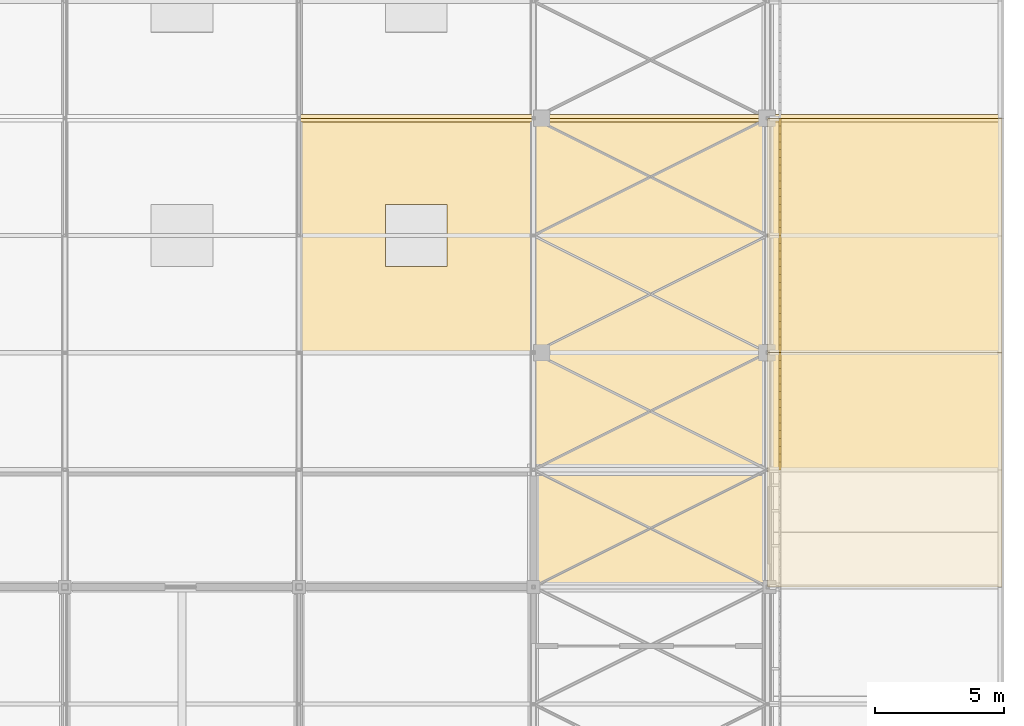
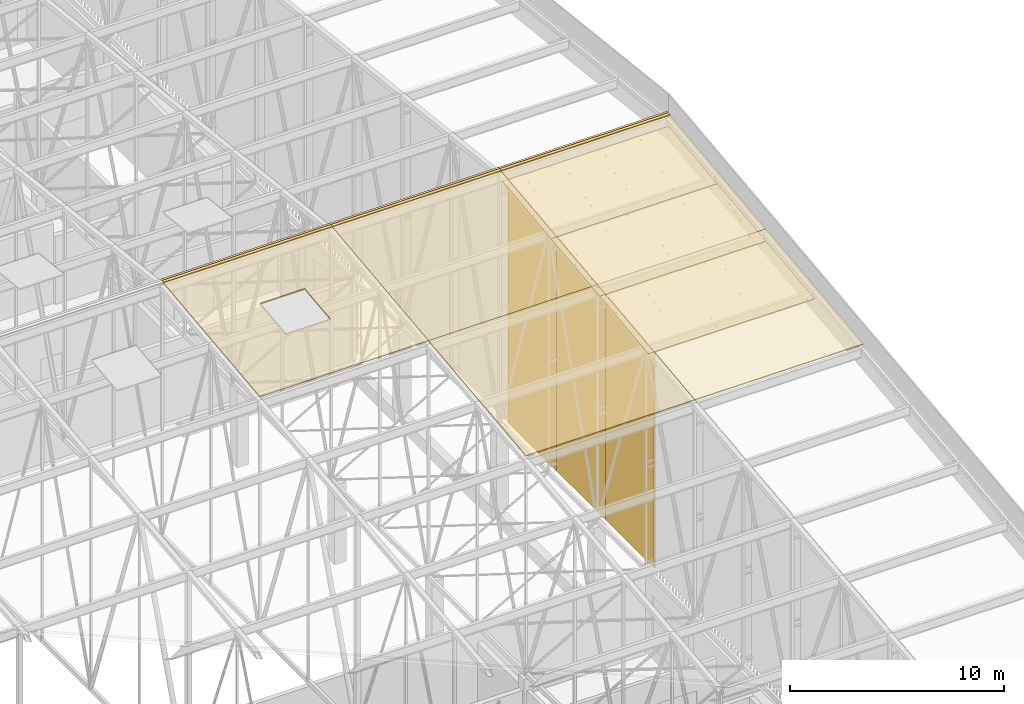
# One storey, part 491 of 500: 14 coverings, 3 shading devices.
"""IFC4 building model written with IfcOpenShell, lengths in metres."""

from ifc_helpers import new_model, si_unit, direction, frame, origin, origin_2d, place, context, subcontext, project, spatial, polyline, rectangle, outline, extrude, material, layer, layer_set, type_object, element, save


model = new_model("IFC4")

# Units and contexts
model_context = context("Model", 3, precision=1e-05, world=origin(), true_north=direction((0.0, 1.0)))
body_context = subcontext(model_context, "Body", "Model", "MODEL_VIEW")
ifc_project = project(units=[si_unit("LENGTHUNIT", "METRE"), si_unit("AREAUNIT", "SQUARE_METRE"), si_unit("VOLUMEUNIT", "CUBIC_METRE"), si_unit("PLANEANGLEUNIT", "RADIAN"), si_unit("MASSUNIT", "GRAM", prefix="KILO")], contexts=[model_context])

# Site, building, storey
site_placement = place(None, origin())
site = spatial("IfcSite", under=ifc_project, at=site_placement, CompositionType="ELEMENT")
building_placement = place(site_placement, origin())
building = spatial("IfcBuilding", under=site, at=building_placement, Name="Shirokan Park Arena", CompositionType="ELEMENT")
storey_placement = place(building_placement, frame((0.0, 0.0, 29.1201171875)))
storey = spatial("IfcBuildingStorey", under=building, at=storey_placement, Name="L06", CompositionType="ELEMENT", Elevation=29.1201171875)

# Coverings
ifc_material_1 = material(Name="Zinc standing seam sheet")
ifc_layer_1 = layer(ifc_material_1, 0.06005859375)
ifc_layer_set_1 = layer_set([ifc_layer_1], Name="Zinc standing seam sheet 60 mm")
covering_type_1 = type_object("IfcCoveringType", Name="Ridge cap 150x60", PredefinedType="CLADDING", material=ifc_layer_set_1)
covering_1_placement = place(storey_placement, frame((127.39990234375, 54.449951171875, 19.213623046875), z_axis=(0.0, -0.113090934841, 0.993584641818), x_axis=(1.0, 0.0, 0.0)))
element("IfcCovering", 1, at=covering_1_placement, inside=storey, type_object=covering_type_1, Name="Ridge cap", PredefinedType="CLADDING", context=body_context, shape_type="SweptSolid", body=[
    extrude(outline(polyline([(0.0, 0.0), (9.10009765625, 0.0), (9.10009765625, 0.15111594730395445), (0.0, 0.15111594730395445), (0.0, 0.0)])), origin(), (0.0, 0.0, -1.0), 0.06005859375),
])
covering_2_placement = place(storey_placement, frame((127.39990234375, 54.60009765625, 19.230712890625), z_axis=(0.0, 0.113272760674, 0.993563929342), x_axis=(1.0, 0.0, 0.0)))
element("IfcCovering", 2, at=covering_2_placement, inside=storey, type_object=covering_type_1, Name="Ridge cap", PredefinedType="CLADDING", context=body_context, shape_type="SweptSolid", body=[
    extrude(outline(polyline([(0.0, 0.0), (9.10009765625, 0.0), (9.10009765625, 0.1508733754548581), (0.0, 0.1508733754548581), (0.0, 0.0)])), origin(), (0.0, 0.0, -1.0), 0.06005859375),
])
covering_3_placement = place(storey_placement, frame((136.5, 54.449951171875, 19.213623046875), z_axis=(0.0, -0.113090934841, 0.993584641818), x_axis=(1.0, 0.0, 0.0)))
element("IfcCovering", 3, at=covering_3_placement, inside=storey, type_object=covering_type_1, Name="Ridge cap", PredefinedType="CLADDING", context=body_context, shape_type="SweptSolid", body=[
    extrude(outline(polyline([(0.0, 0.0), (9.10009765625, 0.0), (9.10009765625, 0.15111594730395445), (0.0, 0.15111594730395445), (0.0, 0.0)])), origin(), (0.0, 0.0, -1.0), 0.06005859375),
])
covering_4_placement = place(storey_placement, frame((136.5, 54.60009765625, 19.230712890625), z_axis=(0.0, 0.113272760674, 0.993563929342), x_axis=(1.0, 0.0, 0.0)))
element("IfcCovering", 4, at=covering_4_placement, inside=storey, type_object=covering_type_1, Name="Ridge cap", PredefinedType="CLADDING", context=body_context, shape_type="SweptSolid", body=[
    extrude(outline(polyline([(0.0, 0.0), (9.10009765625, 0.0), (9.10009765625, 0.1508733754548581), (0.0, 0.1508733754548581), (0.0, 0.0)])), origin(), (0.0, 0.0, -1.0), 0.06005859375),
])
covering_5_placement = place(storey_placement, frame((145.60009765625, 54.449951171875, 19.213623046875), z_axis=(0.0, -0.113090934841, 0.993584641818), x_axis=(1.0, 0.0, 0.0)))
element("IfcCovering", 5, at=covering_5_placement, inside=storey, type_object=covering_type_1, Name="Ridge cap", PredefinedType="CLADDING", context=body_context, shape_type="SweptSolid", body=[
    extrude(outline(polyline([(0.0, 0.0), (9.099853515625, 0.0), (9.099853515625, 0.15111594730395445), (0.0, 0.15111594730395445), (0.0, 0.0)])), origin(), (0.0, 0.0, -1.0), 0.06005859375),
])
covering_6_placement = place(storey_placement, frame((145.60009765625, 54.60009765625, 19.230712890625), z_axis=(0.0, 0.113272760674, 0.993563929342), x_axis=(1.0, 0.0, 0.0)))
element("IfcCovering", 6, at=covering_6_placement, inside=storey, type_object=covering_type_1, Name="Ridge cap", PredefinedType="CLADDING", context=body_context, shape_type="SweptSolid", body=[
    extrude(outline(polyline([(0.0, 0.0), (9.099853515625, 0.0), (9.099853515625, 0.1508733754548581), (0.0, 0.1508733754548581), (0.0, 0.0)])), origin(), (0.0, 0.0, -1.0), 0.06005859375),
])
ifc_material_2 = material(Name="Bituminous roofing membrane")
ifc_layer_2 = layer(ifc_material_2, 0.010009765625, Name="Bituminous roofing membrane")
ifc_material_3 = material(Name="Mineral wool insulation")
ifc_layer_3 = layer(ifc_material_3, 0.050048828125, Name="Mineral wool insulation")
ifc_layer_set_2 = layer_set([ifc_layer_2, ifc_layer_3], Name="Bituminous roofing membrane + Mineral wool insulation")
covering_type_2 = type_object("IfcCoveringType", Name="Roofing membrane 60", PredefinedType="ROOFING", material=ifc_layer_set_2)
covering_7_placement = place(storey_placement, frame((127.39990234375, 45.5, 18.130615234375), z_axis=(0.0, -0.113549598152, 0.993532328996), x_axis=(1.0, 0.0, 0.0)))
element("IfcCovering", 7, at=covering_7_placement, inside=storey, type_object=covering_type_2, Name="Roofing", PredefinedType="ROOFING", context=body_context, shape_type="SweptSolid", body=[
    extrude(outline(polyline([(0.0, 0.0), (9.10009765625, 0.0), (9.10009765625, 9.15933723611117), (0.0, 9.15933723611117), (0.0, 0.0)]), holes=[polyline([(5.75, 3.3718985323194914), (5.75, 5.78743870379168), (3.35009765625, 5.78743870379168), (3.35009765625, 3.3718985323194914), (5.75, 3.3718985323194914)])]), origin(), (0.0, 0.0, -1.0), 0.06005859375),
])
for number, where, z_axis, x_axis, name in (
    (8, (136.5, 36.39990234375, 17.090576171875), (0.0, -0.113549598152, 0.993532328996), (1.0, 0.0, 0.0), "Roofing"),
    (9, (136.5, 45.5, 18.130615234375), (0.0, -0.113549598152, 0.993532328996), (1.0, 0.0, 0.0), "Roofing"),
):
    element("IfcCovering", number, at=place(storey_placement, frame(where, z_axis=z_axis, x_axis=x_axis)), inside=storey, type_object=covering_type_2, Name=name, PredefinedType="ROOFING", context=body_context, shape_type="SweptSolid", body=[
        extrude(outline(polyline([(0.0, 0.0), (9.10009765625, 0.0), (9.10009765625, 9.15933723611117), (0.0, 9.15933723611117), (0.0, 0.0)])), origin(), (0.0, 0.0, -1.0), 0.06005859375),
    ])
for number, where, z_axis, x_axis, name in (
    (10, (145.60009765625, 36.39990234375, 17.090576171875), (0.0, -0.113549598152, 0.993532328996), (1.0, 0.0, 0.0), "Roofing"),
    (11, (145.60009765625, 45.5, 18.130615234375), (0.0, -0.113549598152, 0.993532328996), (1.0, 0.0, 0.0), "Roofing"),
):
    element("IfcCovering", number, at=place(storey_placement, frame(where, z_axis=z_axis, x_axis=x_axis)), inside=storey, type_object=covering_type_2, Name=name, PredefinedType="ROOFING", context=body_context, shape_type="SweptSolid", body=[
        extrude(outline(polyline([(0.0, 0.0), (9.099853515625, 0.0), (9.099853515625, 9.15933723611117), (0.0, 9.15933723611117), (0.0, 0.0)])), origin(), (0.0, 0.0, -1.0), 0.06005859375),
    ])
ifc_material_4 = material(Name="Timber soffit boards (cedar)", Category="wood")
ifc_layer_4 = layer(ifc_material_4, 0.030029296875)
ifc_layer_set_3 = layer_set([ifc_layer_4], Name="Timber soffit boards (cedar) 30 mm")
covering_type_3 = type_object("IfcCoveringType", Name="Timber boarded soffit panel", PredefinedType="CLADDING", material=ifc_layer_set_3)
covering_8_placement = place(storey_placement, origin())
element("IfcCovering", 12, at=covering_8_placement, inside=storey, type_object=covering_type_3, Name="Rake soffit east bay 12", PredefinedType="CLADDING", context=body_context, shape_type="SweptSolid", body=[
    extrude(outline(polyline([(0.0, 0.0), (0.12000000000000455, 0.0), (0.12000000000000455, -4.579617887990218), (0.0, -4.579617887990218), (0.0, 0.0)])), frame((145.846923828125, 40.949951171875, 16.90185546875), z_axis=(0.0, -0.113546591161, 0.993532672656), x_axis=(-1.0, 0.0, 0.0)), (0.0, 0.0, -1.0), 0.030029296875),
    extrude(outline(polyline([(0.0, 0.0), (0.11999999999997613, 0.0), (0.11999999999997613, -4.579617887990217), (0.0, -4.579617887990217), (0.0, 0.0)])), frame((154.580078125, 45.5, 17.421875), z_axis=(0.0, -0.113546591161, 0.993532672656), x_axis=(1.0, 0.0, 0.0)), (0.0, 0.0, -1.0), 0.030029296875),
    extrude(outline(polyline([(0.0, 0.0), (0.12078064455863562, 0.0), (0.12078064455863562, -8.733000000000006), (0.0, -8.733000000000006), (0.0, 0.0)])), frame((154.580078125, 45.5, 17.421875), z_axis=(0.0, -0.11351156512, 0.993536675007), x_axis=(0.0, -0.993536675007, -0.11351156512)), (0.0, 0.0, -1.0), 0.030029296875),
    extrude(outline(polyline([(0.0, 0.0), (0.12078064455863562, 0.0), (0.12078064455863562, -8.733000000000006), (0.0, -8.733000000000006), (0.0, 0.0)])), frame((145.846923828125, 40.949951171875, 16.90185546875), z_axis=(0.0, -0.11351156512, 0.993536675007), x_axis=(0.0, 0.993536675007, 0.11351156512)), (0.0, 0.0, -1.0), 0.030029296875),
    extrude(outline(polyline([(0.0, 0.0), (8.733000000000004, 0.0), (8.733000000000004, -0.18452428160000803), (0.0, -0.18452428160000803), (0.0, 0.0)])), frame((154.580078125, 41.070068359375, 16.91552734375), z_axis=(0.0, -0.113589386818, 0.99352778079), x_axis=(-1.0, 0.0, 0.0)), (0.0, 0.0, -1.0), 0.030029296875),
    extrude(outline(polyline([(0.0, 0.0), (8.733000000000004, 0.0), (8.733000000000004, -0.30531372586243044), (0.0, -0.30531372586243044), (0.0, 0.0)])), frame((154.580078125, 41.25341796875, 16.9365234375), z_axis=(0.0, -0.113522573877, 0.993535417195), x_axis=(-1.0, 0.0, 0.0)), (0.0, 0.0, -1.0), 0.030029296875),
    extrude(outline(polyline([(0.0, 0.0), (8.733000000000004, 0.0), (8.733000000000004, -0.3053049259347144), (0.0, -0.3053049259347144), (0.0, 0.0)])), frame((154.580078125, 41.556640625, 16.97119140625), z_axis=(0.0, -0.113558600124, 0.99353130013), x_axis=(-1.0, 0.0, 0.0)), (0.0, 0.0, -1.0), 0.030029296875),
    extrude(outline(polyline([(0.0, 0.0), (8.733000000000004, 0.0), (8.733000000000004, -0.3053049259347152), (0.0, -0.3053049259347152), (0.0, 0.0)])), frame((154.580078125, 41.860107421875, 17.005859375), z_axis=(0.0, -0.113558600124, 0.99353130013), x_axis=(-1.0, 0.0, 0.0)), (0.0, 0.0, -1.0), 0.030029296875),
    extrude(outline(polyline([(0.0, 0.0), (8.733000000000004, 0.0), (8.733000000000004, -0.3053137258624296), (0.0, -0.3053137258624296), (0.0, 0.0)])), frame((154.580078125, 42.163330078125, 17.04052734375), z_axis=(0.0, -0.113522573877, 0.993535417195), x_axis=(-1.0, 0.0, 0.0)), (0.0, 0.0, -1.0), 0.030029296875),
    extrude(outline(polyline([(0.0, 0.0), (8.733000000000004, 0.0), (8.733000000000004, -0.3053049259347144), (0.0, -0.3053049259347144), (0.0, 0.0)])), frame((154.580078125, 42.466552734375, 17.0751953125), z_axis=(0.0, -0.113558600124, 0.99353130013), x_axis=(-1.0, 0.0, 0.0)), (0.0, 0.0, -1.0), 0.030029296875),
    extrude(outline(polyline([(0.0, 0.0), (8.733000000000004, 0.0), (8.733000000000004, -0.3053049259347081), (0.0, -0.3053049259347081), (0.0, 0.0)])), frame((154.580078125, 42.77001953125, 17.10986328125), z_axis=(0.0, -0.113558600124, 0.99353130013), x_axis=(-1.0, 0.0, 0.0)), (0.0, 0.0, -1.0), 0.030029296875),
    extrude(outline(polyline([(0.0, 0.0), (8.733000000000004, 0.0), (8.733000000000004, -0.3053137258624296), (0.0, -0.3053137258624296), (0.0, 0.0)])), frame((154.580078125, 43.0732421875, 17.14453125), z_axis=(0.0, -0.113522573877, 0.993535417195), x_axis=(-1.0, 0.0, 0.0)), (0.0, 0.0, -1.0), 0.030029296875),
    extrude(outline(polyline([(0.0, 0.0), (8.733000000000004, 0.0), (8.733000000000004, -0.3053049259347152), (0.0, -0.3053049259347152), (0.0, 0.0)])), frame((154.580078125, 43.376708984375, 17.17919921875), z_axis=(0.0, -0.113558600124, 0.99353130013), x_axis=(-1.0, 0.0, 0.0)), (0.0, 0.0, -1.0), 0.030029296875),
    extrude(outline(polyline([(0.0, 0.0), (8.733000000000004, 0.0), (8.733000000000004, -0.3053049259347144), (0.0, -0.3053049259347144), (0.0, 0.0)])), frame((154.580078125, 43.679931640625, 17.2138671875), z_axis=(0.0, -0.113558600124, 0.99353130013), x_axis=(-1.0, 0.0, 0.0)), (0.0, 0.0, -1.0), 0.030029296875),
    extrude(outline(polyline([(0.0, 0.0), (8.733000000000004, 0.0), (8.733000000000004, -0.3053137258624296), (0.0, -0.3053137258624296), (0.0, 0.0)])), frame((154.580078125, 43.9833984375, 17.24853515625), z_axis=(0.0, -0.113522573877, 0.993535417195), x_axis=(-1.0, 0.0, 0.0)), (0.0, 0.0, -1.0), 0.030029296875),
    extrude(outline(polyline([(0.0, 0.0), (8.733000000000004, 0.0), (8.733000000000004, -0.3053049259347152), (0.0, -0.3053049259347152), (0.0, 0.0)])), frame((154.580078125, 44.28662109375, 17.283203125), z_axis=(0.0, -0.113558600124, 0.99353130013), x_axis=(-1.0, 0.0, 0.0)), (0.0, 0.0, -1.0), 0.030029296875),
    extrude(outline(polyline([(0.0, 0.0), (8.733000000000004, 0.0), (8.733000000000004, -0.3053049259347073), (0.0, -0.3053049259347073), (0.0, 0.0)])), frame((154.580078125, 44.590087890625, 17.31787109375), z_axis=(0.0, -0.113558600124, 0.99353130013), x_axis=(-1.0, 0.0, 0.0)), (0.0, 0.0, -1.0), 0.030029296875),
    extrude(outline(polyline([(0.0, 0.0), (8.733000000000004, 0.0), (8.733000000000004, -0.3053137258624304), (0.0, -0.3053137258624304), (0.0, 0.0)])), frame((154.580078125, 44.893310546875, 17.3525390625), z_axis=(0.0, -0.113522573877, 0.993535417195), x_axis=(-1.0, 0.0, 0.0)), (0.0, 0.0, -1.0), 0.030029296875),
    extrude(outline(polyline([(0.0, 0.0), (0.1845242816000151, 0.0), (0.1845242816000151, -8.733000000000004), (0.0, -8.733000000000004), (0.0, 0.0)])), frame((154.580078125, 45.3798828125, 17.408203125), z_axis=(0.0, -0.113589386818, 0.99352778079), x_axis=(0.0, -0.99352778079, -0.113589386818)), (0.0, 0.0, -1.0), 0.030029296875),
])
covering_9_placement = place(storey_placement, origin())
element("IfcCovering", 13, at=covering_9_placement, inside=storey, type_object=covering_type_3, Name="Rake soffit east bay 13", PredefinedType="CLADDING", context=body_context, shape_type="SweptSolid", body=[
    extrude(outline(polyline([(0.0, 0.0), (0.12000000000000455, 0.0), (0.12000000000000455, -4.579617887990217), (0.0, -4.579617887990217), (0.0, 0.0)])), frame((145.846923828125, 45.5, 17.421875), z_axis=(0.0, -0.113546591161, 0.993532672656), x_axis=(-1.0, 0.0, 0.0)), (0.0, 0.0, -1.0), 0.030029296875),
    extrude(outline(polyline([(0.0, 0.0), (0.11999999999997613, 0.0), (0.11999999999997613, -4.579617887990216), (0.0, -4.579617887990216), (0.0, 0.0)])), frame((154.580078125, 50.050048828125, 17.94189453125), z_axis=(0.0, -0.113546591161, 0.993532672656), x_axis=(1.0, 0.0, 0.0)), (0.0, 0.0, -1.0), 0.030029296875),
    extrude(outline(polyline([(0.0, 0.0), (0.12078064455863483, 0.0), (0.12078064455863483, -8.733000000000006), (0.0, -8.733000000000006), (0.0, 0.0)])), frame((154.580078125, 50.050048828125, 17.94189453125), z_axis=(0.0, -0.11351156512, 0.993536675007), x_axis=(0.0, -0.993536675007, -0.11351156512)), (0.0, 0.0, -1.0), 0.030029296875),
    extrude(outline(polyline([(0.0, 0.0), (0.12078064455863483, 0.0), (0.12078064455863483, -8.733000000000006), (0.0, -8.733000000000006), (0.0, 0.0)])), frame((145.846923828125, 45.5, 17.421875), z_axis=(0.0, -0.11351156512, 0.993536675007), x_axis=(0.0, 0.993536675007, 0.11351156512)), (0.0, 0.0, -1.0), 0.030029296875),
    extrude(outline(polyline([(0.0, 0.0), (8.733000000000004, 0.0), (8.733000000000004, -0.1845242816000159), (0.0, -0.1845242816000159), (0.0, 0.0)])), frame((154.580078125, 45.6201171875, 17.435546875), z_axis=(0.0, -0.113589386818, 0.99352778079), x_axis=(-1.0, 0.0, 0.0)), (0.0, 0.0, -1.0), 0.030029296875),
    extrude(outline(polyline([(0.0, 0.0), (8.733000000000004, 0.0), (8.733000000000004, -0.3053137258624304), (0.0, -0.3053137258624304), (0.0, 0.0)])), frame((154.580078125, 45.80322265625, 17.45654296875), z_axis=(0.0, -0.113522573877, 0.993535417195), x_axis=(-1.0, 0.0, 0.0)), (0.0, 0.0, -1.0), 0.030029296875),
    extrude(outline(polyline([(0.0, 0.0), (8.733000000000004, 0.0), (8.733000000000004, -0.3053049259347073), (0.0, -0.3053049259347073), (0.0, 0.0)])), frame((154.580078125, 46.106689453125, 17.4912109375), z_axis=(0.0, -0.113558600124, 0.99353130013), x_axis=(-1.0, 0.0, 0.0)), (0.0, 0.0, -1.0), 0.030029296875),
    extrude(outline(polyline([(0.0, 0.0), (8.733000000000004, 0.0), (8.733000000000004, -0.3053049259347144), (0.0, -0.3053049259347144), (0.0, 0.0)])), frame((154.580078125, 46.409912109375, 17.52587890625), z_axis=(0.0, -0.113558600124, 0.99353130013), x_axis=(-1.0, 0.0, 0.0)), (0.0, 0.0, -1.0), 0.030029296875),
    extrude(outline(polyline([(0.0, 0.0), (8.733000000000004, 0.0), (8.733000000000004, -0.30531372586243044), (0.0, -0.30531372586243044), (0.0, 0.0)])), frame((154.580078125, 46.71337890625, 17.560546875), z_axis=(0.0, -0.113522573877, 0.993535417195), x_axis=(-1.0, 0.0, 0.0)), (0.0, 0.0, -1.0), 0.030029296875),
    extrude(outline(polyline([(0.0, 0.0), (8.733000000000004, 0.0), (8.733000000000004, -0.3053049259347144), (0.0, -0.3053049259347144), (0.0, 0.0)])), frame((154.580078125, 47.0166015625, 17.59521484375), z_axis=(0.0, -0.113558600124, 0.99353130013), x_axis=(-1.0, 0.0, 0.0)), (0.0, 0.0, -1.0), 0.030029296875),
    extrude(outline(polyline([(0.0, 0.0), (8.733000000000004, 0.0), (8.733000000000004, -0.3053049259347144), (0.0, -0.3053049259347144), (0.0, 0.0)])), frame((154.580078125, 47.320068359375, 17.6298828125), z_axis=(0.0, -0.113558600124, 0.99353130013), x_axis=(-1.0, 0.0, 0.0)), (0.0, 0.0, -1.0), 0.030029296875),
    extrude(outline(polyline([(0.0, 0.0), (8.733000000000004, 0.0), (8.733000000000004, -0.30531372586243044), (0.0, -0.30531372586243044), (0.0, 0.0)])), frame((154.580078125, 47.623291015625, 17.66455078125), z_axis=(0.0, -0.113522573877, 0.993535417195), x_axis=(-1.0, 0.0, 0.0)), (0.0, 0.0, -1.0), 0.030029296875),
    extrude(outline(polyline([(0.0, 0.0), (8.733000000000004, 0.0), (8.733000000000004, -0.3053049259347073), (0.0, -0.3053049259347073), (0.0, 0.0)])), frame((154.580078125, 47.9267578125, 17.69921875), z_axis=(0.0, -0.113558600124, 0.99353130013), x_axis=(-1.0, 0.0, 0.0)), (0.0, 0.0, -1.0), 0.030029296875),
    extrude(outline(polyline([(0.0, 0.0), (8.733000000000004, 0.0), (8.733000000000004, -0.3053049259347144), (0.0, -0.3053049259347144), (0.0, 0.0)])), frame((154.580078125, 48.22998046875, 17.73388671875), z_axis=(0.0, -0.113558600124, 0.99353130013), x_axis=(-1.0, 0.0, 0.0)), (0.0, 0.0, -1.0), 0.030029296875),
    extrude(outline(polyline([(0.0, 0.0), (8.733000000000004, 0.0), (8.733000000000004, -0.30531372586243044), (0.0, -0.30531372586243044), (0.0, 0.0)])), frame((154.580078125, 48.533447265625, 17.7685546875), z_axis=(0.0, -0.113522573877, 0.993535417195), x_axis=(-1.0, 0.0, 0.0)), (0.0, 0.0, -1.0), 0.030029296875),
    extrude(outline(polyline([(0.0, 0.0), (8.733000000000004, 0.0), (8.733000000000004, -0.3053049259347144), (0.0, -0.3053049259347144), (0.0, 0.0)])), frame((154.580078125, 48.836669921875, 17.80322265625), z_axis=(0.0, -0.113558600124, 0.99353130013), x_axis=(-1.0, 0.0, 0.0)), (0.0, 0.0, -1.0), 0.030029296875),
    extrude(outline(polyline([(0.0, 0.0), (8.733000000000004, 0.0), (8.733000000000004, -0.3053049259347144), (0.0, -0.3053049259347144), (0.0, 0.0)])), frame((154.580078125, 49.139892578125, 17.837890625), z_axis=(0.0, -0.113558600124, 0.99353130013), x_axis=(-1.0, 0.0, 0.0)), (0.0, 0.0, -1.0), 0.030029296875),
    extrude(outline(polyline([(0.0, 0.0), (8.733000000000004, 0.0), (8.733000000000004, -0.30531372586243044), (0.0, -0.30531372586243044), (0.0, 0.0)])), frame((154.580078125, 49.443359375, 17.87255859375), z_axis=(0.0, -0.113522573877, 0.993535417195), x_axis=(-1.0, 0.0, 0.0)), (0.0, 0.0, -1.0), 0.030029296875),
    extrude(outline(polyline([(0.0, 0.0), (0.18452428160000886, 0.0), (0.18452428160000886, -8.733000000000004), (0.0, -8.733000000000004), (0.0, 0.0)])), frame((154.580078125, 49.929931640625, 17.92822265625), z_axis=(0.0, -0.113589386818, 0.99352778079), x_axis=(0.0, -0.99352778079, -0.113589386818)), (0.0, 0.0, -1.0), 0.030029296875),
])
covering_10_placement = place(storey_placement, origin())
element("IfcCovering", 14, at=covering_10_placement, inside=storey, type_object=covering_type_3, Name="Rake soffit east bay 14", PredefinedType="CLADDING", context=body_context, shape_type="SweptSolid", body=[
    extrude(outline(polyline([(0.0, 0.0), (0.12000000000000455, 0.0), (0.12000000000000455, -4.579617887990225), (0.0, -4.579617887990225), (0.0, 0.0)])), frame((145.846923828125, 50.050048828125, 17.94189453125), z_axis=(0.0, -0.113546591161, 0.993532672656), x_axis=(-1.0, 0.0, 0.0)), (0.0, 0.0, -1.0), 0.030029296875),
    extrude(outline(polyline([(0.0, 0.0), (0.11999999999997613, 0.0), (0.11999999999997613, -4.579617887990224), (0.0, -4.579617887990224), (0.0, 0.0)])), frame((154.580078125, 54.60009765625, 18.4619140625), z_axis=(0.0, -0.113546591161, 0.993532672656), x_axis=(1.0, 0.0, 0.0)), (0.0, 0.0, -1.0), 0.030029296875),
    extrude(outline(polyline([(0.0, 0.0), (0.12078064455864268, 0.0), (0.12078064455864268, -8.733000000000004), (0.0, -8.733000000000004), (0.0, 0.0)])), frame((154.580078125, 54.60009765625, 18.4619140625), z_axis=(0.0, -0.11351156512, 0.993536675007), x_axis=(0.0, -0.993536675007, -0.11351156512)), (0.0, 0.0, -1.0), 0.030029296875),
    extrude(outline(polyline([(0.0, 0.0), (0.12078064455864268, 0.0), (0.12078064455864268, -8.733000000000004), (0.0, -8.733000000000004), (0.0, 0.0)])), frame((145.846923828125, 50.050048828125, 17.94189453125), z_axis=(0.0, -0.11351156512, 0.993536675007), x_axis=(0.0, 0.993536675007, 0.11351156512)), (0.0, 0.0, -1.0), 0.030029296875),
    extrude(outline(polyline([(0.0, 0.0), (8.733000000000004, 0.0), (8.733000000000004, -0.18452428160000886), (0.0, -0.18452428160000886), (0.0, 0.0)])), frame((154.580078125, 50.169921875, 17.95556640625), z_axis=(0.0, -0.113589386818, 0.99352778079), x_axis=(-1.0, 0.0, 0.0)), (0.0, 0.0, -1.0), 0.030029296875),
    extrude(outline(polyline([(0.0, 0.0), (8.733000000000004, 0.0), (8.733000000000004, -0.3053137258624296), (0.0, -0.3053137258624296), (0.0, 0.0)])), frame((154.580078125, 50.353271484375, 17.9765625), z_axis=(0.0, -0.113522573877, 0.993535417195), x_axis=(-1.0, 0.0, 0.0)), (0.0, 0.0, -1.0), 0.030029296875),
    extrude(outline(polyline([(0.0, 0.0), (8.733000000000004, 0.0), (8.733000000000004, -0.3053049259347144), (0.0, -0.3053049259347144), (0.0, 0.0)])), frame((154.580078125, 50.65673828125, 18.01123046875), z_axis=(0.0, -0.113558600124, 0.99353130013), x_axis=(-1.0, 0.0, 0.0)), (0.0, 0.0, -1.0), 0.030029296875),
    extrude(outline(polyline([(0.0, 0.0), (8.733000000000004, 0.0), (8.733000000000004, -0.3053049259347152), (0.0, -0.3053049259347152), (0.0, 0.0)])), frame((154.580078125, 50.9599609375, 18.0458984375), z_axis=(0.0, -0.113558600124, 0.99353130013), x_axis=(-1.0, 0.0, 0.0)), (0.0, 0.0, -1.0), 0.030029296875),
    extrude(outline(polyline([(0.0, 0.0), (8.733000000000004, 0.0), (8.733000000000004, -0.3053137258624296), (0.0, -0.3053137258624296), (0.0, 0.0)])), frame((154.580078125, 51.263427734375, 18.08056640625), z_axis=(0.0, -0.113522573877, 0.993535417195), x_axis=(-1.0, 0.0, 0.0)), (0.0, 0.0, -1.0), 0.030029296875),
    extrude(outline(polyline([(0.0, 0.0), (8.733000000000004, 0.0), (8.733000000000004, -0.3053049259347081), (0.0, -0.3053049259347081), (0.0, 0.0)])), frame((154.580078125, 51.566650390625, 18.115234375), z_axis=(0.0, -0.113558600124, 0.99353130013), x_axis=(-1.0, 0.0, 0.0)), (0.0, 0.0, -1.0), 0.030029296875),
    extrude(outline(polyline([(0.0, 0.0), (8.733000000000004, 0.0), (8.733000000000004, -0.3053049259347144), (0.0, -0.3053049259347144), (0.0, 0.0)])), frame((154.580078125, 51.8701171875, 18.14990234375), z_axis=(0.0, -0.113558600124, 0.99353130013), x_axis=(-1.0, 0.0, 0.0)), (0.0, 0.0, -1.0), 0.030029296875),
    extrude(outline(polyline([(0.0, 0.0), (8.733000000000004, 0.0), (8.733000000000004, -0.30531372586242966), (0.0, -0.30531372586242966), (0.0, 0.0)])), frame((154.580078125, 52.17333984375, 18.1845703125), z_axis=(0.0, -0.113522573877, 0.993535417195), x_axis=(-1.0, 0.0, 0.0)), (0.0, 0.0, -1.0), 0.030029296875),
    extrude(outline(polyline([(0.0, 0.0), (8.733000000000004, 0.0), (8.733000000000004, -0.3053049259347152), (0.0, -0.3053049259347152), (0.0, 0.0)])), frame((154.580078125, 52.4765625, 18.21923828125), z_axis=(0.0, -0.113558600124, 0.99353130013), x_axis=(-1.0, 0.0, 0.0)), (0.0, 0.0, -1.0), 0.030029296875),
    extrude(outline(polyline([(0.0, 0.0), (8.733000000000004, 0.0), (8.733000000000004, -0.3053049259347073), (0.0, -0.3053049259347073), (0.0, 0.0)])), frame((154.580078125, 52.780029296875, 18.25390625), z_axis=(0.0, -0.113558600124, 0.99353130013), x_axis=(-1.0, 0.0, 0.0)), (0.0, 0.0, -1.0), 0.030029296875),
    extrude(outline(polyline([(0.0, 0.0), (8.733000000000004, 0.0), (8.733000000000004, -0.30531372586243744), (0.0, -0.30531372586243744), (0.0, 0.0)])), frame((154.580078125, 53.083251953125, 18.28857421875), z_axis=(0.0, -0.113522573877, 0.993535417195), x_axis=(-1.0, 0.0, 0.0)), (0.0, 0.0, -1.0), 0.030029296875),
    extrude(outline(polyline([(0.0, 0.0), (8.733000000000004, 0.0), (8.733000000000004, -0.3053049259347073), (0.0, -0.3053049259347073), (0.0, 0.0)])), frame((154.580078125, 53.38671875, 18.3232421875), z_axis=(0.0, -0.113558600124, 0.99353130013), x_axis=(-1.0, 0.0, 0.0)), (0.0, 0.0, -1.0), 0.030029296875),
    extrude(outline(polyline([(0.0, 0.0), (8.733000000000004, 0.0), (8.733000000000004, -0.3053049259347144), (0.0, -0.3053049259347144), (0.0, 0.0)])), frame((154.580078125, 53.68994140625, 18.35791015625), z_axis=(0.0, -0.113558600124, 0.99353130013), x_axis=(-1.0, 0.0, 0.0)), (0.0, 0.0, -1.0), 0.030029296875),
    extrude(outline(polyline([(0.0, 0.0), (8.733000000000004, 0.0), (8.733000000000004, -0.30531372586243044), (0.0, -0.30531372586243044), (0.0, 0.0)])), frame((154.580078125, 53.993408203125, 18.392578125), z_axis=(0.0, -0.113522573877, 0.993535417195), x_axis=(-1.0, 0.0, 0.0)), (0.0, 0.0, -1.0), 0.030029296875),
    extrude(outline(polyline([(0.0, 0.0), (0.18452428160000803, 0.0), (0.18452428160000803, -8.733000000000004), (0.0, -8.733000000000004), (0.0, 0.0)])), frame((154.580078125, 54.47998046875, 18.4482421875), z_axis=(0.0, -0.113589386818, 0.99352778079), x_axis=(0.0, -0.99352778079, -0.113589386818)), (0.0, 0.0, -1.0), 0.030029296875),
])

# Shading devices
ifc_material_5 = material(Name="Timber louvre veil (cedar)", Category="wood")
shading_device_type = type_object("IfcShadingDeviceType", Name="Timber louvre veil panel, gable band, closed", PredefinedType="JALOUSIE", material=ifc_material_5)
shading_device_1_placement = place(storey_placement, origin())
element("IfcShadingDevice", 15, at=shading_device_1_placement, inside=storey, type_object=shading_device_type, Name="Timber louvre veil gable band east bay 12", PredefinedType="JALOUSIE", context=body_context, shape_type="SweptSolid", body=[
    extrude(outline(polyline([(41.25341796875, 16.871826171875), (40.949951171875, 16.871826171875), (40.949951171875, 4.575927734375), (45.5, 4.575927734375), (45.5, 17.357177734375), (45.19677734375, 17.357177734375), (45.19677734375, 17.322509765625), (44.893310546875, 17.322509765625), (44.893310546875, 17.287841796875), (44.590087890625, 17.287841796875), (44.590087890625, 17.253173828125), (44.28662109375, 17.253173828125), (44.28662109375, 17.218505859375), (43.9833984375, 17.218505859375), (43.9833984375, 17.183837890625), (43.679931640625, 17.183837890625), (43.679931640625, 17.149169921875), (43.376708984375, 17.149169921875), (43.376708984375, 17.114501953125), (43.0732421875, 17.114501953125), (43.0732421875, 17.079833984375), (42.77001953125, 17.079833984375), (42.77001953125, 17.045166015625), (42.466552734375, 17.045166015625), (42.466552734375, 17.010498046875), (42.163330078125, 17.010498046875), (42.163330078125, 16.975830078125), (41.860107421875, 16.975830078125), (41.860107421875, 16.941162109375), (41.556640625, 16.941162109375), (41.556640625, 16.906494140625), (41.25341796875, 16.906494140625), (41.25341796875, 16.871826171875)])), frame((146.044921875, 0.0, 0.0), z_axis=(1.0, 0.0, 0.0), x_axis=(0.0, 1.0, 0.0)), (0.0, 0.0, 1.0), 0.080078125),
    extrude(rectangle(XDim=0.050048828125, YDim=4.550048828125, at=origin_2d()), frame((146.070068359375, 43.22509765625, 4.98583984375), z_axis=(0.0, 0.0, 1.0), x_axis=(1.0, 0.0, 0.0)), (0.0, 0.0, 1.0), 0.080078125),
    extrude(rectangle(XDim=0.050048828125, YDim=4.550048828125, at=origin_2d()), frame((146.070068359375, 43.22509765625, 10.683837890625), z_axis=(0.0, 0.0, 1.0), x_axis=(1.0, 0.0, 0.0)), (0.0, 0.0, 1.0), 0.080078125),
    extrude(rectangle(XDim=0.050048828125, YDim=4.550048828125, at=origin_2d()), frame((146.070068359375, 43.22509765625, 16.73193359375), z_axis=(0.0, 0.0, 1.0), x_axis=(1.0, 0.0, 0.0)), (0.0, 0.0, 1.0), 0.080078125),
])
shading_device_2_placement = place(storey_placement, origin())
element("IfcShadingDevice", 16, at=shading_device_2_placement, inside=storey, type_object=shading_device_type, Name="Timber louvre veil gable band east bay 13", PredefinedType="JALOUSIE", context=body_context, shape_type="SweptSolid", body=[
    extrude(outline(polyline([(45.80322265625, 17.391845703125), (45.5, 17.391845703125), (45.5, 4.575927734375), (50.050048828125, 4.575927734375), (50.050048828125, 17.877197265625), (49.74658203125, 17.877197265625), (49.74658203125, 17.842529296875), (49.443359375, 17.842529296875), (49.443359375, 17.807861328125), (49.139892578125, 17.807861328125), (49.139892578125, 17.773193359375), (48.836669921875, 17.773193359375), (48.836669921875, 17.738525390625), (48.533447265625, 17.738525390625), (48.533447265625, 17.703857421875), (48.22998046875, 17.703857421875), (48.22998046875, 17.669189453125), (47.9267578125, 17.669189453125), (47.9267578125, 17.634521484375), (47.623291015625, 17.634521484375), (47.623291015625, 17.599853515625), (47.320068359375, 17.599853515625), (47.320068359375, 17.565185546875), (47.0166015625, 17.565185546875), (47.0166015625, 17.530517578125), (46.71337890625, 17.530517578125), (46.71337890625, 17.495849609375), (46.409912109375, 17.495849609375), (46.409912109375, 17.461181640625), (46.106689453125, 17.461181640625), (46.106689453125, 17.426513671875), (45.80322265625, 17.426513671875), (45.80322265625, 17.391845703125)])), frame((146.044921875, 0.0, 0.0), z_axis=(1.0, 0.0, 0.0), x_axis=(0.0, 1.0, 0.0)), (0.0, 0.0, 1.0), 0.080078125),
    extrude(rectangle(XDim=0.050048828125, YDim=4.550048828125, at=origin_2d()), frame((146.070068359375, 47.77490234375, 4.98583984375), z_axis=(0.0, 0.0, 1.0), x_axis=(1.0, 0.0, 0.0)), (0.0, 0.0, 1.0), 0.080078125),
    extrude(rectangle(XDim=0.050048828125, YDim=4.550048828125, at=origin_2d()), frame((146.070068359375, 47.77490234375, 10.94384765625), z_axis=(0.0, 0.0, 1.0), x_axis=(1.0, 0.0, 0.0)), (0.0, 0.0, 1.0), 0.080078125),
    extrude(rectangle(XDim=0.050048828125, YDim=4.550048828125, at=origin_2d()), frame((146.070068359375, 47.77490234375, 17.251953125), z_axis=(0.0, 0.0, 1.0), x_axis=(1.0, 0.0, 0.0)), (0.0, 0.0, 1.0), 0.080078125),
])
shading_device_3_placement = place(storey_placement, origin())
element("IfcShadingDevice", 17, at=shading_device_3_placement, inside=storey, type_object=shading_device_type, Name="Timber louvre veil gable band east bay 14", PredefinedType="JALOUSIE", context=body_context, shape_type="SweptSolid", body=[
    extrude(outline(polyline([(50.353271484375, 17.911865234375), (50.050048828125, 17.911865234375), (50.050048828125, 4.575927734375), (54.60009765625, 4.575927734375), (54.60009765625, 18.397216796875), (54.296630859375, 18.397216796875), (54.296630859375, 18.362548828125), (53.993408203125, 18.362548828125), (53.993408203125, 18.327880859375), (53.68994140625, 18.327880859375), (53.68994140625, 18.293212890625), (53.38671875, 18.293212890625), (53.38671875, 18.258544921875), (53.083251953125, 18.258544921875), (53.083251953125, 18.223876953125), (52.780029296875, 18.223876953125), (52.780029296875, 18.189208984375), (52.4765625, 18.189208984375), (52.4765625, 18.154541015625), (52.17333984375, 18.154541015625), (52.17333984375, 18.119873046875), (51.8701171875, 18.119873046875), (51.8701171875, 18.085205078125), (51.566650390625, 18.085205078125), (51.566650390625, 18.050537109375), (51.263427734375, 18.050537109375), (51.263427734375, 18.015869140625), (50.9599609375, 18.015869140625), (50.9599609375, 17.981201171875), (50.65673828125, 17.981201171875), (50.65673828125, 17.946533203125), (50.353271484375, 17.946533203125), (50.353271484375, 17.911865234375)])), frame((146.044921875, 0.0, 0.0), z_axis=(1.0, 0.0, 0.0), x_axis=(0.0, 1.0, 0.0)), (0.0, 0.0, 1.0), 0.080078125),
    extrude(rectangle(XDim=0.050048828125, YDim=4.550048828125, at=origin_2d()), frame((146.070068359375, 52.324951171875, 4.98583984375), z_axis=(0.0, 0.0, 1.0), x_axis=(1.0, 0.0, 0.0)), (0.0, 0.0, 1.0), 0.080078125),
    extrude(rectangle(XDim=0.050048828125, YDim=4.550048828125, at=origin_2d()), frame((146.070068359375, 52.324951171875, 11.203857421875), z_axis=(0.0, 0.0, 1.0), x_axis=(1.0, 0.0, 0.0)), (0.0, 0.0, 1.0), 0.080078125),
    extrude(rectangle(XDim=0.050048828125, YDim=4.550048828125, at=origin_2d()), frame((146.070068359375, 52.324951171875, 17.771728515625), z_axis=(0.0, 0.0, 1.0), x_axis=(1.0, 0.0, 0.0)), (0.0, 0.0, 1.0), 0.080078125),
])

save(model, "model.ifc")
